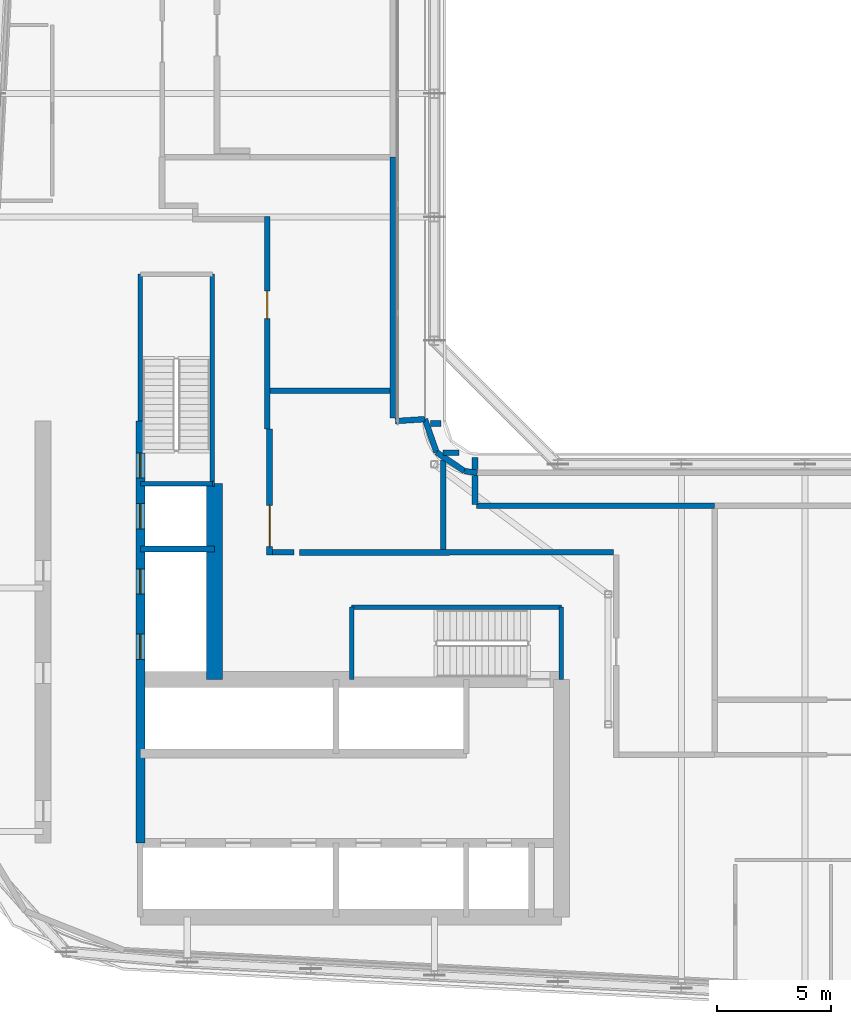
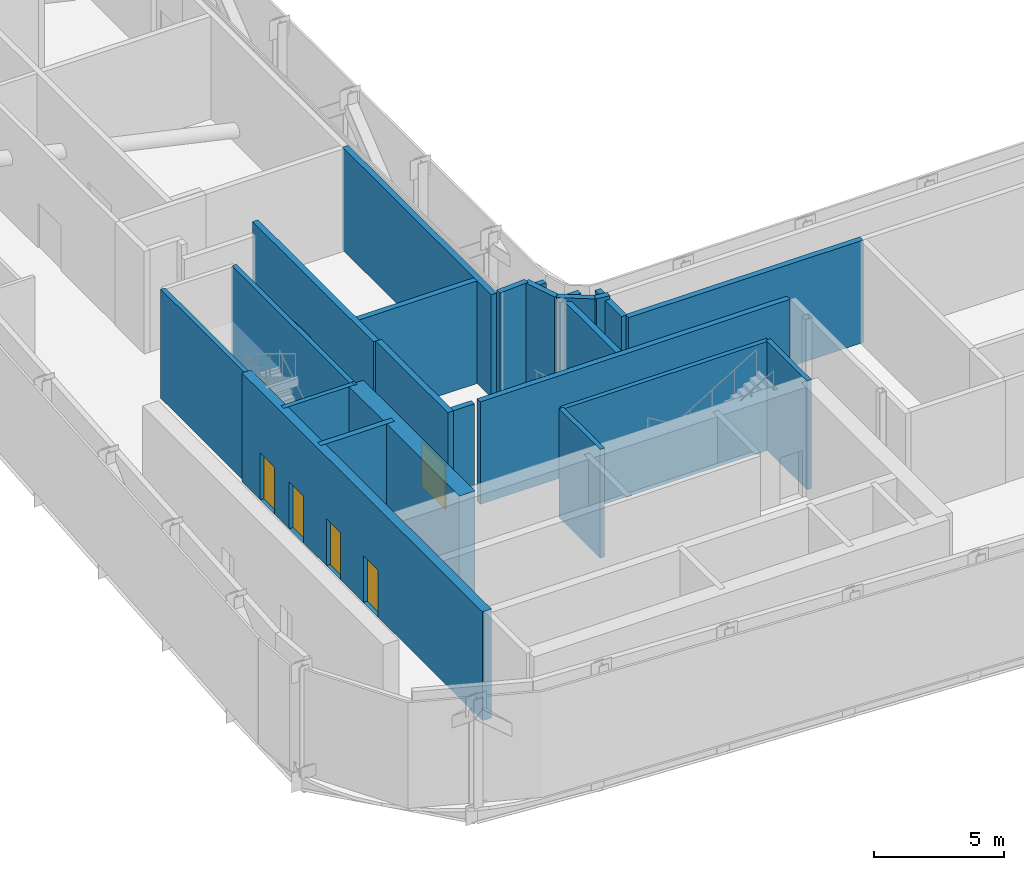
# One storey, part 13 of 23: 26 walls, 6 doors, 6 openings.
"""IFC4 building model written with IfcOpenShell, lengths in metres."""

from ifc_helpers import new_model, si_unit, direction, frame, frame_2d, origin, place, context, subcontext, project, spatial, rectangle, extrude, source, transform, mapped, material, layer, layer_set, type_object, element, fill, save


model = new_model("IFC4")

# Units and contexts
model_context = context("Model", 3, precision=1e-05, world=origin(), true_north=direction((0.0, 1.0)))
body_context = subcontext(model_context, "Body", "Model", "MODEL_VIEW")
ifc_project = project(units=[si_unit("LENGTHUNIT", "METRE"), si_unit("AREAUNIT", "SQUARE_METRE"), si_unit("VOLUMEUNIT", "CUBIC_METRE"), si_unit("PLANEANGLEUNIT", "RADIAN"), si_unit("MASSUNIT", "GRAM", prefix="KILO")], contexts=[model_context])

# Site, building, storey
site_placement = place(None, origin())
site = spatial("IfcSite", under=ifc_project, at=site_placement, CompositionType="ELEMENT")
building_placement = place(site_placement, origin())
building = spatial("IfcBuilding", under=site, at=building_placement, Name="Kheshtan School and Residences Tower", CompositionType="ELEMENT")
storey_placement = place(building_placement, frame((0.0, 0.0, 211.10009765625)))
storey = spatial("IfcBuildingStorey", under=building, at=storey_placement, Name="L49", CompositionType="ELEMENT", Elevation=211.10009765625)

# Wall, openings, doors
ifc_material_1 = material(Name="Concrete C50/60", Category="concrete")
ifc_layer_1 = layer(ifc_material_1, 0.39990234375)
ifc_layer_set_1 = layer_set([ifc_layer_1], Name="Core wall 400 Concrete C50/60")
wall_type_1 = type_object("IfcWallType", Name="Core wall 400 Concrete C50/60", PredefinedType="SHEAR", material=ifc_layer_set_1)
wall_1_placement = place(storey_placement, frame((34.75, 29.050048828125, 0.0), z_axis=(0.0, 0.0, 1.0), x_axis=(0.0, 1.0, 0.0)))
wall_1 = element("IfcWall", 1, at=wall_1_placement, inside=storey, type_object=wall_type_1, Name="Core wall CW-HALL-W1", PredefinedType="SHEAR", context=body_context, shape_type="SweptSolid", body=[
    extrude(rectangle(XDim=18.449951171875, YDim=0.39990234375, at=frame_2d((9.22509765625, 0.0))), origin(), (0.0, 0.0, 1.0), 5.099853515625),
])
opening_1_placement = place(wall_1_placement, frame((8.02490234375, 0.0, 0.0)))
opening_1 = element("IfcOpeningElement", 2, at=opening_1_placement, cuts=wall_1, Name="Opening LD", PredefinedType="OPENING", context=body_context, shape_type="SweptSolid", body=[
    extrude(rectangle(XDim=1.10009765625, YDim=2.199951171875, at=frame_2d((0.550048828125, 1.10009765625))), frame((0.0, 0.2099609375, 0.0), z_axis=(0.0, -1.0, 0.0), x_axis=(1.0, 0.0, 0.0)), (0.0, 0.0, 1.0), 0.419921875),
])
opening_2_placement = place(wall_1_placement, frame((10.875, 0.0, 0.0)))
opening_2 = element("IfcOpeningElement", 3, at=opening_2_placement, cuts=wall_1, Name="Opening LD", PredefinedType="OPENING", context=body_context, shape_type="SweptSolid", body=[
    extrude(rectangle(XDim=1.10009765625, YDim=2.199951171875, at=frame_2d((0.550048828125, 1.10009765625))), frame((0.0, 0.2099609375, 0.0), z_axis=(0.0, -1.0, 0.0), x_axis=(1.0, 0.0, 0.0)), (0.0, 0.0, 1.0), 0.419921875),
])
opening_3_placement = place(wall_1_placement, frame((13.72509765625, 0.0, 0.0)))
opening_3 = element("IfcOpeningElement", 4, at=opening_3_placement, cuts=wall_1, Name="Opening LD", PredefinedType="OPENING", context=body_context, shape_type="SweptSolid", body=[
    extrude(rectangle(XDim=1.10009765625, YDim=2.199951171875, at=frame_2d((0.550048828125, 1.10009765625))), frame((0.0, 0.2099609375, 0.0), z_axis=(0.0, -1.0, 0.0), x_axis=(1.0, 0.0, 0.0)), (0.0, 0.0, 1.0), 0.419921875),
])
opening_4_placement = place(wall_1_placement, frame((15.949951171875, 0.0, 0.0)))
opening_4 = element("IfcOpeningElement", 5, at=opening_4_placement, cuts=wall_1, Name="Opening ST2D", PredefinedType="OPENING", context=body_context, shape_type="SweptSolid", body=[
    extrude(rectangle(XDim=1.10009765625, YDim=2.199951171875, at=frame_2d((0.550048828125, 1.10009765625))), frame((0.0, 0.2099609375, 0.0), z_axis=(0.0, -1.0, 0.0), x_axis=(1.0, 0.0, 0.0)), (0.0, 0.0, 1.0), 0.419921875),
])
ifc_material_2 = material(Name="Stainless steel door leaves", Category="steel")
door_type_1 = type_object("IfcDoorType", Name="Lift landing door 1100", OperationType="SLIDING_TO_LEFT", PredefinedType="DOOR", material=ifc_material_2)
shared_shape_1 = source(origin(), body_context, "Body", "SweptSolid", [
    extrude(rectangle(XDim=1.10009765625, YDim=2.199951171875, at=frame_2d((0.550048828125, 1.10009765625))), frame((0.0, 0.02490234375, 0.0), z_axis=(0.0, -1.0, 0.0), x_axis=(1.0, 0.0, 0.0)), (0.0, 0.0, 1.0), 0.050048828125),
])
door_1_placement = place(opening_1_placement, origin())
door_1 = element("IfcDoor", 6, at=door_1_placement, inside=storey, type_object=door_type_1, Name="Lift SV1 landing door", OperationType="SLIDING_TO_LEFT", OverallHeight=2.199951171875, OverallWidth=1.10009765625, PredefinedType="DOOR", context=body_context, shape_type="MappedRepresentation", body=[
    mapped(shared_shape_1, transform((0.0, 0.0, 0.0), x_axis=(1.0, 0.0, 0.0), y_axis=(0.0, 1.0, 0.0), z_axis=(0.0, 0.0, 1.0), scale=1.0)),
])
fill(opening_1, door_1)
door_2_placement = place(opening_2_placement, origin())
door_2 = element("IfcDoor", 7, at=door_2_placement, inside=storey, type_object=door_type_1, Name="Lift SV2 landing door", OperationType="SLIDING_TO_LEFT", OverallHeight=2.199951171875, OverallWidth=1.10009765625, PredefinedType="DOOR", context=body_context, shape_type="MappedRepresentation", body=[
    mapped(shared_shape_1, transform((0.0, 0.0, 0.0), x_axis=(1.0, 0.0, 0.0), y_axis=(0.0, 1.0, 0.0), z_axis=(0.0, 0.0, 1.0), scale=1.0)),
])
fill(opening_2, door_2)
door_3_placement = place(opening_3_placement, origin())
door_3 = element("IfcDoor", 8, at=door_3_placement, inside=storey, type_object=door_type_1, Name="Lift FFL1 landing door", OperationType="SLIDING_TO_LEFT", OverallHeight=2.199951171875, OverallWidth=1.10009765625, PredefinedType="DOOR", context=body_context, shape_type="MappedRepresentation", body=[
    mapped(shared_shape_1, transform((0.0, 0.0, 0.0), x_axis=(1.0, 0.0, 0.0), y_axis=(0.0, 1.0, 0.0), z_axis=(0.0, 0.0, 1.0), scale=1.0)),
])
fill(opening_3, door_3)
ifc_material_3 = material(Name="Steel door leaf, galvanised", Category="steel")
door_type_2 = type_object("IfcDoorType", Name="Stair door 1100 steel 90 min", OperationType="SINGLE_SWING_LEFT", PredefinedType="DOOR", material=ifc_material_3)
shared_shape_2 = source(origin(), body_context, "Body", "SweptSolid", [
    extrude(rectangle(XDim=1.10009765625, YDim=2.199951171875, at=frame_2d((0.550048828125, 1.10009765625))), frame((0.0, 0.02490234375, 0.0), z_axis=(0.0, -1.0, 0.0), x_axis=(1.0, 0.0, 0.0)), (0.0, 0.0, 1.0), 0.050048828125),
])
door_4_placement = place(opening_4_placement, origin())
door_4 = element("IfcDoor", 9, at=door_4_placement, inside=storey, type_object=door_type_2, Name="Stair ST2 door", OperationType="SINGLE_SWING_RIGHT", OverallHeight=2.199951171875, OverallWidth=1.10009765625, PredefinedType="DOOR", context=body_context, shape_type="MappedRepresentation", body=[
    mapped(shared_shape_2, transform((0.0, 0.0, 0.0), x_axis=(1.0, 0.0, 0.0), y_axis=(0.0, 1.0, 0.0), z_axis=(0.0, 0.0, 1.0), scale=1.0)),
])
fill(opening_4, door_4)

# Walls
ifc_material_4 = material(Name="Concrete C70/85", Category="concrete")
ifc_layer_2 = layer(ifc_material_4, 0.699951171875)
ifc_layer_set_2 = layer_set([ifc_layer_2], Name="Core wall 700 Concrete C70/85")
wall_type_2 = type_object("IfcWallType", Name="Core wall 700 Concrete C70/85", PredefinedType="SHEAR", material=ifc_layer_set_2)
wall_2_placement = place(storey_placement, frame((38.0, 36.199951171875, 0.0), z_axis=(0.0, 0.0, 1.0), x_axis=(0.0, 1.0, 0.0)))
element("IfcWall", 10, at=wall_2_placement, inside=storey, type_object=wall_type_2, Name="Core wall CW-FRONT-W", PredefinedType="SHEAR", context=body_context, shape_type="SweptSolid", body=[
    extrude(rectangle(XDim=8.550048828125, YDim=0.699951171875, at=frame_2d((4.27490234375, 0.0))), origin(), (0.0, 0.0, 1.0), 5.099853515625),
])
ifc_material_5 = material(Name="Concrete C40/50 with ceramic cladding and mineral wool insulation", Category="concrete")
ifc_layer_3 = layer(ifc_material_5, 0.25)
ifc_layer_set_3 = layer_set([ifc_layer_3], Name="External wall 250 ceramic clad")
wall_type_3 = type_object("IfcWallType", Name="External wall 250 ceramic clad", PredefinedType="SOLIDWALL", material=ifc_layer_set_3)
wall_3_placement = place(storey_placement, frame((45.89697265625, 47.486083984375, 0.0), z_axis=(0.0, 0.0, 1.0), x_axis=(0.997841571158, 0.065667334864, 0.0)))
element("IfcWall", 11, at=wall_3_placement, inside=storey, type_object=wall_type_3, Name="External wall L49 20", PredefinedType="SOLIDWALL", context=body_context, shape_type="SweptSolid", body=[
    extrude(rectangle(XDim=1.293701171875, YDim=0.25, at=frame_2d((0.64697265625, 0.0))), origin(), (0.0, 0.0, 1.0), 4.949951171875),
])
wall_4_placement = place(storey_placement, frame((47.18798828125, 47.571044921875, 0.0), z_axis=(0.0, 0.0, 1.0), x_axis=(0.331615835646, -0.943414509931, 0.0)))
element("IfcWall", 12, at=wall_4_placement, inside=storey, type_object=wall_type_3, Name="External wall L49 21", PredefinedType="SOLIDWALL", context=body_context, shape_type="SweptSolid", body=[
    extrude(rectangle(XDim=1.537841796875, YDim=0.25, at=frame_2d((0.76904296875, 0.0))), origin(), (0.0, 0.0, 1.0), 4.949951171875),
])
wall_5_placement = place(storey_placement, frame((47.697998046875, 46.1201171875, 0.0), z_axis=(0.0, 0.0, 1.0), x_axis=(0.831209040074, -0.555960009082, 0.0)))
element("IfcWall", 13, at=wall_5_placement, inside=storey, type_object=wall_type_3, Name="External wall L49 22", PredefinedType="SOLIDWALL", context=body_context, shape_type="SweptSolid", body=[
    extrude(rectangle(XDim=1.47509765625, YDim=0.25, at=frame_2d((0.737548828125, 0.0))), origin(), (0.0, 0.0, 1.0), 4.949951171875),
])
wall_6_placement = place(storey_placement, frame((48.924072265625, 45.300048828125, 0.0), z_axis=(0.0, 0.0, 1.0), x_axis=(0.990938998022, -0.134312703043, 0.0)))
element("IfcWall", 14, at=wall_6_placement, inside=storey, type_object=wall_type_3, Name="External wall L49 23", PredefinedType="SOLIDWALL", context=body_context, shape_type="SweptSolid", body=[
    extrude(rectangle(XDim=0.55810546875, YDim=0.25, at=frame_2d((0.279052734375, 0.0))), origin(), (0.0, 0.0, 1.0), 4.949951171875),
])

# Wall, opening, door
ifc_material_6 = material(Name="Fire-board and steel stud wall with mineral wool", Category="steel")
ifc_layer_4 = layer(ifc_material_6, 0.25)
ifc_layer_set_4 = layer_set([ifc_layer_4], Name="Plant room wall 250")
wall_type_4 = type_object("IfcWallType", Name="Plant room wall 250", PredefinedType="PARTITIONING", material=ifc_layer_set_4)
wall_7_placement = place(storey_placement, frame((40.300048828125, 47.14990234375, 0.0), z_axis=(0.0, 0.0, 1.0), x_axis=(0.0, 1.0, 0.0)))
wall_7 = element("IfcWall", 15, at=wall_7_placement, inside=storey, type_object=wall_type_4, Name="Partition L49-030", PredefinedType="PARTITIONING", context=body_context, shape_type="SweptSolid", body=[
    extrude(rectangle(XDim=9.28515625, YDim=0.25, at=frame_2d((4.642578125, 0.0))), origin(), (0.0, 0.0, 1.0), 4.7998046875),
])
opening_5_placement = place(wall_7_placement, frame((4.81201171875, 0.0, 0.0)))
opening_5 = element("IfcOpeningElement", 16, at=opening_5_placement, cuts=wall_7, Name="Opening D49-004", PredefinedType="OPENING", context=body_context, shape_type="SweptSolid", body=[
    extrude(rectangle(XDim=1.199951171875, YDim=2.10009765625, at=frame_2d((0.60009765625, 1.050048828125))), frame((0.0, 0.135009765625, 0.0), z_axis=(0.0, -1.0, 0.0), x_axis=(1.0, 0.0, 0.0)), (0.0, 0.0, 1.0), 0.27001953125),
])
ifc_material_7 = material(Name="Steel-framed fire-resisting door leaf", Category="steel")
door_type_3 = type_object("IfcDoorType", Name="Fire door FD120 1200 x 2100", OperationType="SINGLE_SWING_LEFT", PredefinedType="DOOR", material=ifc_material_7)
shared_shape_3 = source(origin(), body_context, "Body", "SweptSolid", [
    extrude(rectangle(XDim=1.199951171875, YDim=2.10009765625, at=frame_2d((0.60009765625, 1.050048828125))), frame((0.0, 0.02490234375, 0.0), z_axis=(0.0, -1.0, 0.0), x_axis=(1.0, 0.0, 0.0)), (0.0, 0.0, 1.0), 0.050048828125),
])
door_5_placement = place(opening_5_placement, origin())
door_5 = element("IfcDoor", 17, at=door_5_placement, inside=storey, type_object=door_type_3, Name="Door D49-004", OperationType="SINGLE_SWING_LEFT", OverallHeight=2.10009765625, OverallWidth=1.199951171875, PredefinedType="DOOR", context=body_context, shape_type="MappedRepresentation", body=[
    mapped(shared_shape_3, transform((0.0, 0.0, 0.0), x_axis=(1.0, 0.0, 0.0), y_axis=(0.0, 1.0, 0.0), z_axis=(0.0, 0.0, 1.0), scale=1.0)),
])
fill(opening_5, door_5)

wall_8_placement = place(storey_placement, frame((40.39990234375, 41.623046875, 0.0), z_axis=(0.0, 0.0, 1.0), x_axis=(0.0, 1.0, 0.0)))
wall_8 = element("IfcWall", 18, at=wall_8_placement, inside=storey, type_object=wall_type_4, Name="Partition L49-031", PredefinedType="PARTITIONING", context=body_context, shape_type="SweptSolid", body=[
    extrude(rectangle(XDim=5.52685546875, YDim=0.25, at=frame_2d((2.763427734375, 0.0))), origin(), (0.0, 0.0, 1.0), 4.7998046875),
])
opening_6_placement = place(wall_8_placement, frame((0.376953125, 0.0, 0.0)))
opening_6 = element("IfcOpeningElement", 19, at=opening_6_placement, cuts=wall_8, Name="Opening D49-005", PredefinedType="OPENING", context=body_context, shape_type="SweptSolid", body=[
    extrude(rectangle(XDim=1.800048828125, YDim=2.10009765625, at=frame_2d((0.89990234375, 1.050048828125))), frame((0.0, 0.135009765625, 0.0), z_axis=(0.0, -1.0, 0.0), x_axis=(1.0, 0.0, 0.0)), (0.0, 0.0, 1.0), 0.27001953125),
])
door_type_4 = type_object("IfcDoorType", Name="Fire double door FD120 1800 x 2100", OperationType="DOUBLE_DOOR_SINGLE_SWING", PredefinedType="DOOR", material=ifc_material_7)
shared_shape_4 = source(origin(), body_context, "Body", "SweptSolid", [
    extrude(rectangle(XDim=1.800048828125, YDim=2.10009765625, at=frame_2d((0.89990234375, 1.050048828125))), frame((0.0, 0.02490234375, 0.0), z_axis=(0.0, -1.0, 0.0), x_axis=(1.0, 0.0, 0.0)), (0.0, 0.0, 1.0), 0.050048828125),
])
door_6_placement = place(opening_6_placement, origin())
door_6 = element("IfcDoor", 20, at=door_6_placement, inside=storey, type_object=door_type_4, Name="Door D49-005", OperationType="DOUBLE_DOOR_SINGLE_SWING", OverallHeight=2.10009765625, OverallWidth=1.800048828125, PredefinedType="DOOR", context=body_context, shape_type="MappedRepresentation", body=[
    mapped(shared_shape_4, transform((0.0, 0.0, 0.0), x_axis=(1.0, 0.0, 0.0), y_axis=(0.0, 1.0, 0.0), z_axis=(0.0, 0.0, 1.0), scale=1.0)),
])
fill(opening_6, door_6)

# Walls
wall_9_placement = place(storey_placement, frame((40.425048828125, 48.81201171875, 0.0), z_axis=(0.0, 0.0, 1.0), x_axis=(1.0, 0.0, 0.0)))
element("IfcWall", 21, at=wall_9_placement, inside=storey, type_object=wall_type_4, Name="Partition L49-032", PredefinedType="PARTITIONING", context=body_context, shape_type="SweptSolid", body=[
    extrude(rectangle(XDim=5.22998046875, YDim=0.25, at=frame_2d((2.614990234375, 0.0))), origin(), (0.0, 0.0, 1.0), 4.7998046875),
])
wall_10_placement = place(storey_placement, frame((40.52490234375, 41.748046875, 0.0), z_axis=(0.0, 0.0, 1.0), x_axis=(1.0, 0.0, 0.0)))
element("IfcWall", 22, at=wall_10_placement, inside=storey, type_object=wall_type_4, Name="Partition L49-033", PredefinedType="PARTITIONING", context=body_context, shape_type="SweptSolid", body=[
    extrude(rectangle(XDim=0.940185546875, YDim=0.25, at=frame_2d((0.47021484375, 0.0))), origin(), (0.0, 0.0, 1.0), 4.7998046875),
])
wall_11_placement = place(storey_placement, frame((41.715087890625, 41.74609375, 0.0), z_axis=(0.0, 0.0, 1.0), x_axis=(0.999999989853, 0.000142460288, 0.0)))
element("IfcWall", 23, at=wall_11_placement, inside=storey, type_object=wall_type_4, Name="Partition L49-038", PredefinedType="PARTITIONING", context=body_context, shape_type="SweptSolid", body=[
    extrude(rectangle(XDim=13.7099609375, YDim=0.25, at=frame_2d((6.85498046875, 0.0))), origin(), (0.0, 0.0, 1.0), 4.7998046875),
])
wall_12_placement = place(storey_placement, frame((45.780029296875, 47.611083984375, 0.0), z_axis=(0.0, 0.0, 1.0), x_axis=(0.0, 1.0, 0.0)))
element("IfcWall", 24, at=wall_12_placement, inside=storey, type_object=wall_type_4, Name="Partition L49-039", PredefinedType="PARTITIONING", context=body_context, shape_type="SweptSolid", body=[
    extrude(rectangle(XDim=11.412841796875, YDim=0.25, at=frame_2d((5.70654296875, 0.0))), origin(), (0.0, 0.0, 1.0), 4.7998046875),
])
wall_13_placement = place(storey_placement, frame((47.430908203125, 47.3798828125, 0.0), z_axis=(0.0, 0.0, 1.0), x_axis=(1.0, 0.0, 0.0)))
element("IfcWall", 25, at=wall_13_placement, inside=storey, type_object=wall_type_4, Name="Partition L49-045", PredefinedType="PARTITIONING", context=body_context, shape_type="SweptSolid", body=[
    extrude(rectangle(XDim=0.4560546875, YDim=0.25, at=frame_2d((0.22802734375, 0.0))), origin(), (0.0, 0.0, 1.0), 4.7998046875),
])
wall_14_placement = place(storey_placement, frame((47.989990234375, 41.875, 0.0), z_axis=(0.0, 0.0, 1.0), x_axis=(0.0, 1.0, 0.0)))
element("IfcWall", 26, at=wall_14_placement, inside=storey, type_object=wall_type_4, Name="Partition L49-046", PredefinedType="PARTITIONING", context=body_context, shape_type="SweptSolid", body=[
    extrude(rectangle(XDim=3.90087890625, YDim=0.25, at=frame_2d((1.950439453125, 0.0))), origin(), (0.0, 0.0, 1.0), 4.7998046875),
])
wall_15_placement = place(storey_placement, frame((47.989990234375, 46.10009765625, 0.0), z_axis=(0.0, 0.0, 1.0), x_axis=(1.0, 0.0, 0.0)))
element("IfcWall", 27, at=wall_15_placement, inside=storey, type_object=wall_type_4, Name="Partition L49-047", PredefinedType="PARTITIONING", context=body_context, shape_type="SweptSolid", body=[
    extrude(rectangle(XDim=0.694091796875, YDim=0.25, at=frame_2d((0.34716796875, 0.0))), origin(), (0.0, 0.0, 1.0), 4.7998046875),
])
wall_16_placement = place(storey_placement, frame((49.3798828125, 43.85107421875, 0.0), z_axis=(0.0, 0.0, 1.0), x_axis=(0.0, 1.0, 0.0)))
element("IfcWall", 28, at=wall_16_placement, inside=storey, type_object=wall_type_4, Name="Partition L49-048", PredefinedType="PARTITIONING", context=body_context, shape_type="SweptSolid", body=[
    extrude(rectangle(XDim=1.25, YDim=0.25, at=frame_2d((0.625, 0.0))), origin(), (0.0, 0.0, 1.0), 4.7998046875),
])
wall_17_placement = place(storey_placement, frame((49.3798828125, 45.3798828125, 0.0), z_axis=(0.0, 0.0, 1.0), x_axis=(0.0, 1.0, 0.0)))
element("IfcWall", 29, at=wall_17_placement, inside=storey, type_object=wall_type_4, Name="Partition L49-049", PredefinedType="PARTITIONING", context=body_context, shape_type="SweptSolid", body=[
    extrude(rectangle(XDim=0.507080078125, YDim=0.25, at=frame_2d((0.25341796875, 0.0))), origin(), (0.0, 0.0, 1.0), 4.7998046875),
])
wall_18_placement = place(storey_placement, frame((49.450927734375, 43.780029296875, 0.0), z_axis=(0.0, 0.0, 1.0), x_axis=(1.0, 0.0, 0.0)))
element("IfcWall", 30, at=wall_18_placement, inside=storey, type_object=wall_type_4, Name="Partition L49-050", PredefinedType="PARTITIONING", context=body_context, shape_type="SweptSolid", body=[
    extrude(rectangle(XDim=10.402099609375, YDim=0.25, at=frame_2d((5.201171875, 0.0))), origin(), (0.0, 0.0, 1.0), 4.7998046875),
])
ifc_material_8 = material(Name="Fire-board shaft wall system")
ifc_layer_5 = layer(ifc_material_8, 0.25)
ifc_layer_set_5 = layer_set([ifc_layer_5], Name="Shaft lining wall 250")
wall_type_5 = type_object("IfcWallType", Name="Shaft lining wall 250", PredefinedType="PARTITIONING", material=ifc_layer_set_5)
wall_19_placement = place(storey_placement, frame((34.75, 41.89990234375, 0.0), z_axis=(0.0, 0.0, 1.0), x_axis=(1.0, 0.0, 0.0)))
element("IfcWall", 31, at=wall_19_placement, inside=storey, type_object=wall_type_5, Name="Shaft lining wall", PredefinedType="PARTITIONING", context=body_context, shape_type="SweptSolid", body=[
    extrude(rectangle(XDim=3.25, YDim=0.25, at=frame_2d((1.625, 0.0))), origin(), (0.0, 0.0, 1.0), 5.099853515625),
])
wall_20_placement = place(storey_placement, frame((37.89990234375, 44.75, 0.0), z_axis=(0.0, 0.0, 1.0), x_axis=(1.0, 0.0, 0.0)))
element("IfcWall", 32, at=wall_20_placement, inside=storey, type_object=wall_type_5, Name="Shaft lining wall", PredefinedType="PARTITIONING", context=body_context, shape_type="SweptSolid", body=[
    extrude(rectangle(XDim=0.10009765625, YDim=0.25, at=frame_2d((0.050048828125, 0.0))), origin(), (0.0, 0.0, 1.0), 5.099853515625),
])
ifc_material_9 = material(Name="Concrete C40/50", Category="concrete")
ifc_layer_6 = layer(ifc_material_9, 0.199951171875)
ifc_layer_set_6 = layer_set([ifc_layer_6], Name="Stair enclosure wall 200 Concrete C40/50")
wall_type_6 = type_object("IfcWallType", Name="Stair enclosure wall 200 Concrete C40/50", PredefinedType="SHEAR", material=ifc_layer_set_6)
wall_21_placement = place(storey_placement, frame((43.989990234375, 39.35009765625, 0.0), z_axis=(0.0, 0.0, 1.0), x_axis=(1.0, 0.0, 0.0)))
element("IfcWall", 33, at=wall_21_placement, inside=storey, type_object=wall_type_6, Name="Stair enclosure wall ST1", PredefinedType="SHEAR", context=body_context, shape_type="SweptSolid", body=[
    extrude(rectangle(XDim=9.159912109375, YDim=0.199951171875, at=frame_2d((4.580078125, 0.0))), origin(), (0.0, 0.0, 1.0), 5.099853515625),
])
for number, where, z_axis, x_axis, name in (
    (34, (43.989990234375, 36.199951171875, 0.0), (0.0, 0.0, 1.0), (0.0, 1.0, 0.0), "Stair enclosure wall ST1"),
    (35, (53.14990234375, 36.199951171875, 0.0), (0.0, 0.0, 1.0), (0.0, 1.0, 0.0), "Stair enclosure wall ST1"),
):
    element("IfcWall", number, at=place(storey_placement, frame(where, z_axis=z_axis, x_axis=x_axis)), inside=storey, type_object=wall_type_6, Name=name, PredefinedType="SHEAR", context=body_context, shape_type="SweptSolid", body=[
        extrude(rectangle(XDim=3.150146484375, YDim=0.199951171875, at=frame_2d((1.5751953125, 0.0))), origin(), (0.0, 0.0, 1.0), 5.099853515625),
    ])
wall_22_placement = place(storey_placement, frame((34.75, 44.75, 0.0), z_axis=(0.0, 0.0, 1.0), x_axis=(1.0, 0.0, 0.0)))
element("IfcWall", 36, at=wall_22_placement, inside=storey, type_object=wall_type_6, Name="Stair enclosure wall ST2", PredefinedType="SHEAR", context=body_context, shape_type="SweptSolid", body=[
    extrude(rectangle(XDim=3.14990234375, YDim=0.199951171875, at=frame_2d((1.574951171875, 0.0))), origin(), (0.0, 0.0, 1.0), 5.099853515625),
])
wall_23_placement = place(storey_placement, frame((34.75, 47.5, 0.0), z_axis=(0.0, 0.0, 1.0), x_axis=(0.0, 1.0, 0.0)))
element("IfcWall", 37, at=wall_23_placement, inside=storey, type_object=wall_type_6, Name="Stair enclosure wall ST2", PredefinedType="SHEAR", context=body_context, shape_type="SweptSolid", body=[
    extrude(rectangle(XDim=6.409912109375, YDim=0.199951171875, at=frame_2d((3.205078125, 0.0))), origin(), (0.0, 0.0, 1.0), 5.099853515625),
])
wall_24_placement = place(storey_placement, frame((37.89990234375, 44.75, 0.0), z_axis=(0.0, 0.0, 1.0), x_axis=(0.0, 1.0, 0.0)))
element("IfcWall", 38, at=wall_24_placement, inside=storey, type_object=wall_type_6, Name="Stair enclosure wall ST2", PredefinedType="SHEAR", context=body_context, shape_type="SweptSolid", body=[
    extrude(rectangle(XDim=9.159912109375, YDim=0.199951171875, at=frame_2d((4.580078125, 0.0))), origin(), (0.0, 0.0, 1.0), 5.099853515625),
])

save(model, "model.ifc")
